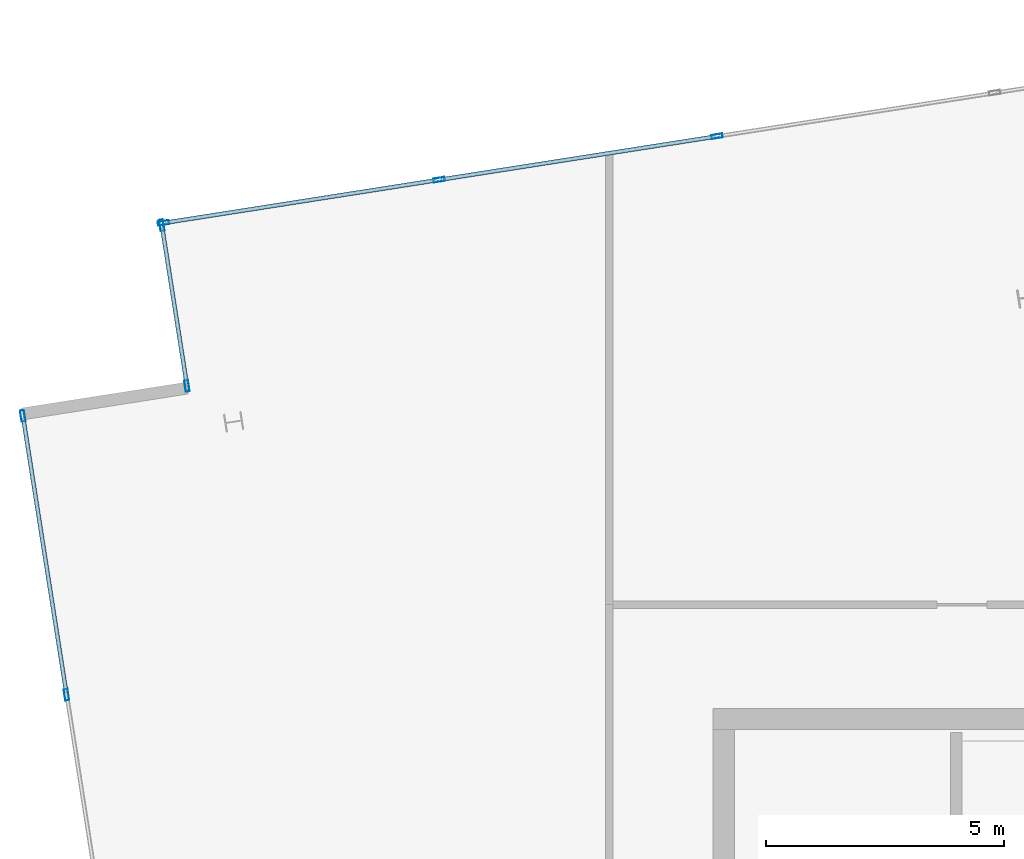
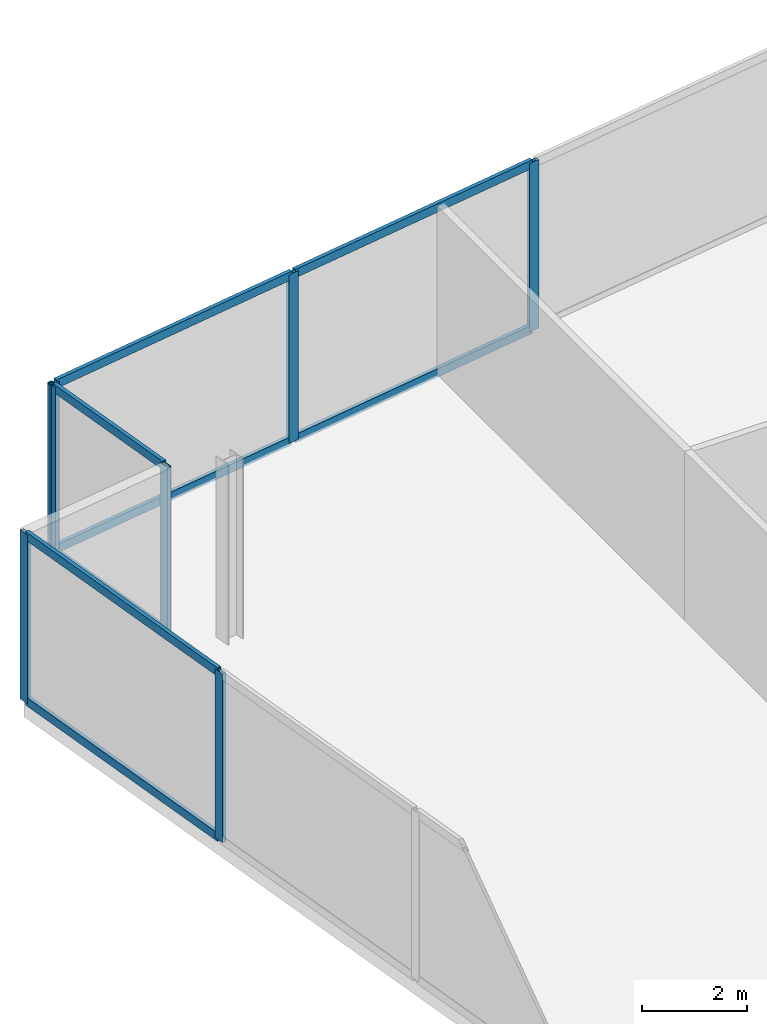
# One storey, part 7 of 13: 15 members, 3 elements without a shape of their own.
"""IFC4 building model written with IfcOpenShell, lengths in metres."""

from ifc_helpers import new_model, si_unit, direction, frame, origin, origin_2d, place, context, subcontext, project, spatial, hollow_rectangle, extrude, material, material_profile, profile_set, type_object, element, aggregate, save


model = new_model("IFC4")

# Units and contexts
model_context = context("Model", 3, precision=1e-05, world=origin(), true_north=direction((0.0, 1.0)))
body_context = subcontext(model_context, "Body", "Model", "MODEL_VIEW")
ifc_project = project(units=[si_unit("LENGTHUNIT", "METRE"), si_unit("AREAUNIT", "SQUARE_METRE"), si_unit("VOLUMEUNIT", "CUBIC_METRE"), si_unit("PLANEANGLEUNIT", "RADIAN"), si_unit("MASSUNIT", "GRAM", prefix="KILO")], contexts=[model_context])

# Site, building, storey
site_placement = place(None, origin())
site = spatial("IfcSite", under=ifc_project, at=site_placement, CompositionType="ELEMENT")
building_placement = place(site_placement, origin())
building = spatial("IfcBuilding", under=site, at=building_placement, Name="Haldenkirk Collegiate Tower", CompositionType="ELEMENT")
storey_placement = place(building_placement, frame((0.0, 0.0, 356.39990234375)))
storey = spatial("IfcBuildingStorey", under=building, at=storey_placement, Name="L90", CompositionType="ELEMENT", Elevation=356.39990234375)

# Curtain wall, members
ifc_material = material(Name="Anodised architectural bronze aluminium", Category="aluminium")
curtain_wall_type = type_object("IfcCurtainWallType", Name="CW-SYS5-LANTERN", PredefinedType="USERDEFINED", material=ifc_material)
curtain_wall_1_placement = place(storey_placement, origin())
curtain_wall_1 = element("IfcCurtainWall", 1, at=curtain_wall_1_placement, inside=storey, type_object=curtain_wall_type, Name="L90 Level L90 glazed crown lantern curtain wall", ObjectType="UNITISED CURTAIN WALL", PredefinedType="USERDEFINED")
ifc_material_profile_1 = material_profile(ifc_material, hollow_rectangle(XDim=0.0849609375, YDim=0.235107421875, WallThickness=0.0048828125, at=origin_2d()), Name="CW-MUL-05")
ifc_profile_set_1 = profile_set([ifc_material_profile_1], Name="Anodised architectural bronze aluminium")
member_type_1 = type_object("IfcMemberType", Name="CW-MUL-05", PredefinedType="MULLION", material=ifc_profile_set_1)
member_1_placement = place(storey_placement, frame((15.244384765625, 44.41064453125, 0.0), z_axis=(0.0, 0.0, 1.0), x_axis=(-0.154708982189, 0.987960085646, 0.0)))
member_1 = element("IfcMember", 2, at=member_1_placement, type_object=member_type_1, Name="CW-05 mullion 1", PredefinedType="MULLION", context=body_context, shape_type="SweptSolid", body=[
    extrude(hollow_rectangle(XDim=0.0849609375, YDim=0.235107421875, WallThickness=0.0048828125, at=origin_2d()), origin(), (0.0, 0.0, 1.0), 3.93017578125),
])
member_2_placement = place(storey_placement, frame((21.03125, 45.31689453125, 0.0), z_axis=(0.0, 0.0, 1.0), x_axis=(-0.154708982189, 0.987960085646, 0.0)))
member_2 = element("IfcMember", 3, at=member_2_placement, type_object=member_type_1, Name="CW-05 mullion 2", PredefinedType="MULLION", context=body_context, shape_type="SweptSolid", body=[
    extrude(hollow_rectangle(XDim=0.0849609375, YDim=0.235107421875, WallThickness=0.0048828125, at=origin_2d()), origin(), (0.0, 0.0, 1.0), 3.93017578125),
])
member_3_placement = place(storey_placement, frame((26.8603515625, 46.2294921875, 0.0), z_axis=(0.0, 0.0, 1.0), x_axis=(-0.154708982189, 0.987960085646, 0.0)))
member_3 = element("IfcMember", 4, at=member_3_placement, type_object=member_type_1, Name="CW-05 mullion 3", PredefinedType="MULLION", context=body_context, shape_type="SweptSolid", body=[
    extrude(hollow_rectangle(XDim=0.0849609375, YDim=0.235107421875, WallThickness=0.0048828125, at=origin_2d()), origin(), (0.0, 0.0, 1.0), 3.93017578125),
])

curtain_wall_2_placement = place(storey_placement, origin())
curtain_wall_2 = element("IfcCurtainWall", 5, at=curtain_wall_2_placement, inside=storey, type_object=curtain_wall_type, Name="L90 Level L90 glazed crown lantern curtain wall", ObjectType="UNITISED CURTAIN WALL", PredefinedType="USERDEFINED")
member_4_placement = place(storey_placement, frame((15.7373046875, 40.988037109375, 0.0), z_axis=(0.0, 0.0, 1.0), x_axis=(-0.987959546514, -0.154712425009, 0.0)))
member_4 = element("IfcMember", 6, at=member_4_placement, type_object=member_type_1, Name="CW-05 mullion 1", PredefinedType="MULLION", context=body_context, shape_type="SweptSolid", body=[
    extrude(hollow_rectangle(XDim=0.0849609375, YDim=0.235107421875, WallThickness=0.0048828125, at=origin_2d()), origin(), (0.0, 0.0, 1.0), 3.93017578125),
])
member_5_placement = place(storey_placement, frame((15.208984375, 44.362060546875, 0.0), z_axis=(0.0, 0.0, 1.0), x_axis=(-0.987959546514, -0.154712425009, 0.0)))
member_5 = element("IfcMember", 7, at=member_5_placement, type_object=member_type_1, Name="CW-05 mullion 2", PredefinedType="MULLION", context=body_context, shape_type="SweptSolid", body=[
    extrude(hollow_rectangle(XDim=0.0849609375, YDim=0.235107421875, WallThickness=0.0048828125, at=origin_2d()), origin(), (0.0, 0.0, 1.0), 3.93017578125),
])

curtain_wall_3_placement = place(storey_placement, origin())
curtain_wall_3 = element("IfcCurtainWall", 8, at=curtain_wall_3_placement, inside=storey, type_object=curtain_wall_type, Name="L90 Level L90 glazed crown lantern curtain wall", ObjectType="UNITISED CURTAIN WALL", PredefinedType="USERDEFINED")
member_6_placement = place(storey_placement, frame((13.208984375, 34.509765625, 0.0), z_axis=(0.0, 0.0, 1.0), x_axis=(-0.987959532462, -0.154712514742, 0.0)))
member_6 = element("IfcMember", 9, at=member_6_placement, type_object=member_type_1, Name="CW-05 mullion 6", PredefinedType="MULLION", context=body_context, shape_type="SweptSolid", body=[
    extrude(hollow_rectangle(XDim=0.0849609375, YDim=0.235107421875, WallThickness=0.0048828125, at=origin_2d()), origin(), (0.0, 0.0, 1.0), 3.93017578125),
])
member_7_placement = place(storey_placement, frame((12.29248046875, 40.362548828125, 0.0), z_axis=(0.0, 0.0, 1.0), x_axis=(-0.987959532462, -0.154712514742, 0.0)))
member_7 = element("IfcMember", 10, at=member_7_placement, type_object=member_type_1, Name="CW-05 mullion 7", PredefinedType="MULLION", context=body_context, shape_type="SweptSolid", body=[
    extrude(hollow_rectangle(XDim=0.0849609375, YDim=0.235107421875, WallThickness=0.0048828125, at=origin_2d()), origin(), (0.0, 0.0, 1.0), 3.93017578125),
])

# Member
ifc_material_profile_2 = material_profile(ifc_material, hollow_rectangle(XDim=0.0849609375, YDim=0.195068359375, WallThickness=0.0048828125, at=origin_2d()), Name="CW-TRN-05")
ifc_profile_set_2 = profile_set([ifc_material_profile_2], Name="Anodised architectural bronze aluminium")
member_type_2 = type_object("IfcMemberType", Name="CW-TRN-05", PredefinedType="USERDEFINED", material=ifc_profile_set_2)
member_8_placement = place(storey_placement, frame((15.286376953125, 44.417236328125, 0.04248046875), z_axis=(0.987959360119, 0.15471361528, 0.0), x_axis=(-0.15471361528, 0.987959360119, 0.0)))
member_8 = element("IfcMember", 11, at=member_8_placement, type_object=member_type_2, Name="CW-05 transom 1.1", ObjectType="TRANSOM", PredefinedType="USERDEFINED", context=body_context, shape_type="SweptSolid", body=[
    extrude(hollow_rectangle(XDim=0.0849609375, YDim=0.195068359375, WallThickness=0.0048828125, at=origin_2d()), origin(), (0.0, 0.0, 1.0), 5.7724609375),
])

member_9_placement = place(storey_placement, frame((15.286376953125, 44.417236328125, 3.8876953125), z_axis=(0.987959360119, 0.15471361528, 0.0), x_axis=(-0.15471361528, 0.987959360119, 0.0)))
member_9 = element("IfcMember", 12, at=member_9_placement, type_object=member_type_2, Name="CW-05 transom 1.2", ObjectType="TRANSOM", PredefinedType="USERDEFINED", context=body_context, shape_type="SweptSolid", body=[
    extrude(hollow_rectangle(XDim=0.0849609375, YDim=0.195068359375, WallThickness=0.0048828125, at=origin_2d()), origin(), (0.0, 0.0, 1.0), 5.7724609375),
])

member_10_placement = place(storey_placement, frame((21.0732421875, 45.3232421875, 0.04248046875), z_axis=(0.987959948292, 0.154709859317, 0.0), x_axis=(-0.154709859317, 0.987959948292, 0.0)))
member_10 = element("IfcMember", 13, at=member_10_placement, type_object=member_type_2, Name="CW-05 transom 2.1", ObjectType="TRANSOM", PredefinedType="USERDEFINED", context=body_context, shape_type="SweptSolid", body=[
    extrude(hollow_rectangle(XDim=0.0849609375, YDim=0.195068359375, WallThickness=0.0048828125, at=origin_2d()), origin(), (0.0, 0.0, 1.0), 5.815185546875),
])

member_11_placement = place(storey_placement, frame((21.0732421875, 45.3232421875, 3.8876953125), z_axis=(0.987959948292, 0.154709859317, 0.0), x_axis=(-0.154709859317, 0.987959948292, 0.0)))
member_11 = element("IfcMember", 14, at=member_11_placement, type_object=member_type_2, Name="CW-05 transom 2.2", ObjectType="TRANSOM", PredefinedType="USERDEFINED", context=body_context, shape_type="SweptSolid", body=[
    extrude(hollow_rectangle(XDim=0.0849609375, YDim=0.195068359375, WallThickness=0.0048828125, at=origin_2d()), origin(), (0.0, 0.0, 1.0), 5.815185546875),
])

aggregate(curtain_wall_1, [member_1, member_2, member_3, member_8, member_9, member_10, member_11])

member_12_placement = place(storey_placement, frame((15.730712890625, 41.030029296875, 0.04248046875), z_axis=(-0.154761529184, 0.987951855651, 0.0), x_axis=(-0.987951855651, -0.154761529184, 0.0)))
member_12 = element("IfcMember", 15, at=member_12_placement, type_object=member_type_2, Name="CW-05 transom 1.1", ObjectType="TRANSOM", PredefinedType="USERDEFINED", context=body_context, shape_type="SweptSolid", body=[
    extrude(hollow_rectangle(XDim=0.0849609375, YDim=0.195068359375, WallThickness=0.0048828125, at=origin_2d()), origin(), (0.0, 0.0, 1.0), 3.330078125),
])

member_13_placement = place(storey_placement, frame((15.730712890625, 41.030029296875, 3.8876953125), z_axis=(-0.154761529184, 0.987951855651, 0.0), x_axis=(-0.987951855651, -0.154761529184, 0.0)))
member_13 = element("IfcMember", 16, at=member_13_placement, type_object=member_type_2, Name="CW-05 transom 1.2", ObjectType="TRANSOM", PredefinedType="USERDEFINED", context=body_context, shape_type="SweptSolid", body=[
    extrude(hollow_rectangle(XDim=0.0849609375, YDim=0.195068359375, WallThickness=0.0048828125, at=origin_2d()), origin(), (0.0, 0.0, 1.0), 3.330078125),
])

aggregate(curtain_wall_2, [member_4, member_5, member_12, member_13])

member_14_placement = place(storey_placement, frame((13.202392578125, 34.5517578125, 0.04248046875), z_axis=(-0.154702115839, 0.987961160853, 0.0), x_axis=(-0.987961160853, -0.154702115839, 0.0)))
member_14 = element("IfcMember", 17, at=member_14_placement, type_object=member_type_2, Name="CW-05 transom 6.1", ObjectType="TRANSOM", PredefinedType="USERDEFINED", context=body_context, shape_type="SweptSolid", body=[
    extrude(hollow_rectangle(XDim=0.0849609375, YDim=0.195068359375, WallThickness=0.0048828125, at=origin_2d()), origin(), (0.0, 0.0, 1.0), 5.839111328125),
])

member_15_placement = place(storey_placement, frame((13.202392578125, 34.5517578125, 3.8876953125), z_axis=(-0.154702115839, 0.987961160853, 0.0), x_axis=(-0.987961160853, -0.154702115839, 0.0)))
member_15 = element("IfcMember", 18, at=member_15_placement, type_object=member_type_2, Name="CW-05 transom 6.2", ObjectType="TRANSOM", PredefinedType="USERDEFINED", context=body_context, shape_type="SweptSolid", body=[
    extrude(hollow_rectangle(XDim=0.0849609375, YDim=0.195068359375, WallThickness=0.0048828125, at=origin_2d()), origin(), (0.0, 0.0, 1.0), 5.839111328125),
])

aggregate(curtain_wall_3, [member_6, member_7, member_14, member_15])

save(model, "model.ifc")
